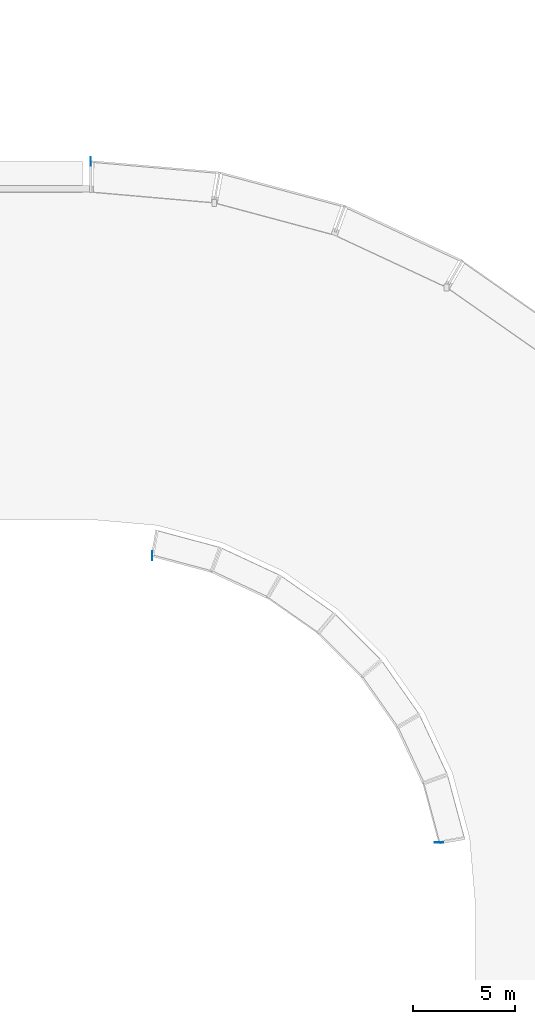
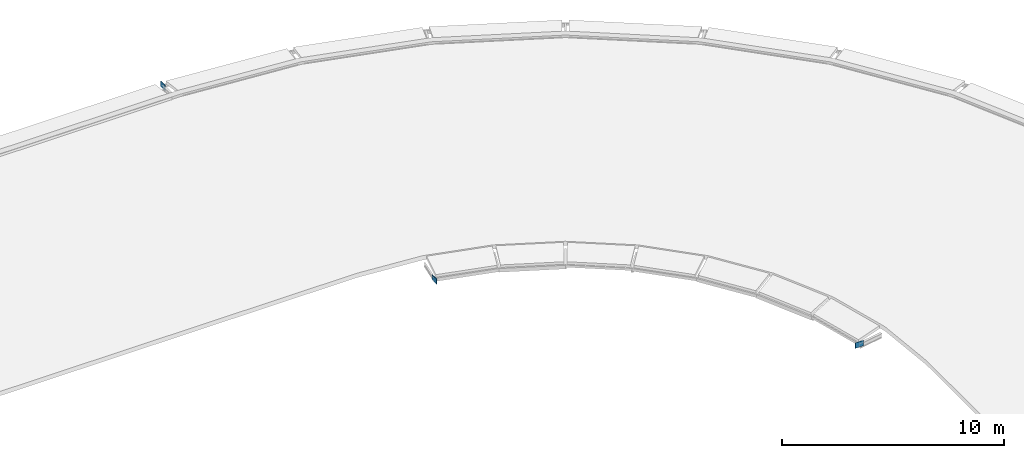
# One storey, part 8 of 23: 3 plates.
"""IFC4 building model written with IfcOpenShell, lengths in metres."""

from ifc_helpers import new_model, si_unit, direction, frame, origin, origin_2d, place, context, subcontext, project, spatial, rectangle, extrude, material, layer, layer_set, type_object, element, save


model = new_model("IFC4")

# Units and contexts
model_context = context("Model", 3, precision=1e-05, world=origin(), true_north=direction((0.0, 1.0)))
body_context = subcontext(model_context, "Body", "Model", "MODEL_VIEW")
ifc_project = project(units=[si_unit("LENGTHUNIT", "METRE"), si_unit("AREAUNIT", "SQUARE_METRE"), si_unit("VOLUMEUNIT", "CUBIC_METRE"), si_unit("PLANEANGLEUNIT", "RADIAN"), si_unit("MASSUNIT", "GRAM", prefix="KILO")], contexts=[model_context])

# Site, building, storey
site_placement = place(None, origin())
site = spatial("IfcSite", under=ifc_project, at=site_placement, CompositionType="ELEMENT")
building_placement = place(site_placement, origin())
building = spatial("IfcBuilding", under=site, at=building_placement, Name="Kiranvali Square Residences", CompositionType="ELEMENT")
storey_placement = place(building_placement, frame((0.0, 0.0, 43.35009765625)))
storey = spatial("IfcBuildingStorey", under=building, at=storey_placement, Name="L13", CompositionType="ELEMENT", Elevation=43.35009765625)

# Plates
ifc_material = material(Name="Structural steel E350", Category="steel")
ifc_layer = layer(ifc_material, 0.02001953125)
ifc_layer_set = layer_set([ifc_layer], Name="Structural steel E350")
plate_type = type_object("IfcPlateType", Name="PLT-ENDCAP-20", PredefinedType="SHEET", material=ifc_layer_set)
for number, where, z_axis, x_axis, name in (
    (1, (119.81201171875, 124.098876953125, -0.46240234375), (0.0, 0.0, 1.0), (1.0, 0.0, 0.0), "Block B eave fascia purlin end-cap S"),
    (2, (122.815673828125, 104.833984375, -0.47607421875), (0.0, 0.0, 1.0), (1.0, 0.0, 0.0), "Block B inner eave purlin end-cap S"),
):
    element("IfcPlate", number, at=place(storey_placement, frame(where, z_axis=z_axis, x_axis=x_axis)), inside=storey, type_object=plate_type, Name=name, PredefinedType="SHEET", context=body_context, shape_type="SweptSolid", body=[
        extrude(rectangle(XDim=0.02001953125, YDim=0.419921875, at=origin_2d()), origin(), (0.0, 0.0, 1.0), 0.300048828125),
    ])
plate_placement = place(storey_placement, frame((136.833984375, 90.815673828125, -0.451171875), z_axis=(0.0, 0.0, 1.0), x_axis=(1.0, 0.0, 0.0)))
element("IfcPlate", 3, at=plate_placement, inside=storey, type_object=plate_type, Name="Block B inner eave purlin end-cap E", PredefinedType="SHEET", context=body_context, shape_type="SweptSolid", body=[
    extrude(rectangle(XDim=0.419921875, YDim=0.02001953125, at=origin_2d()), origin(), (0.0, 0.0, 1.0), 0.300048828125),
])

save(model, "model.ifc")
